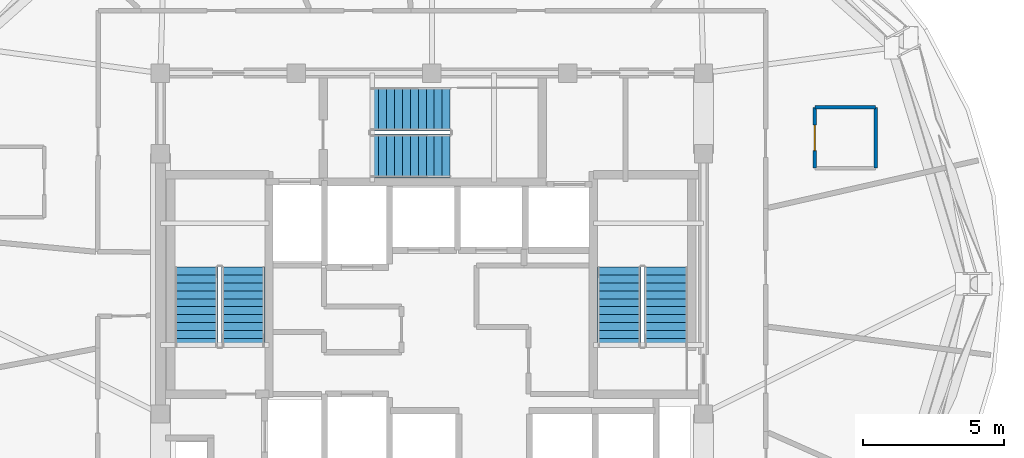
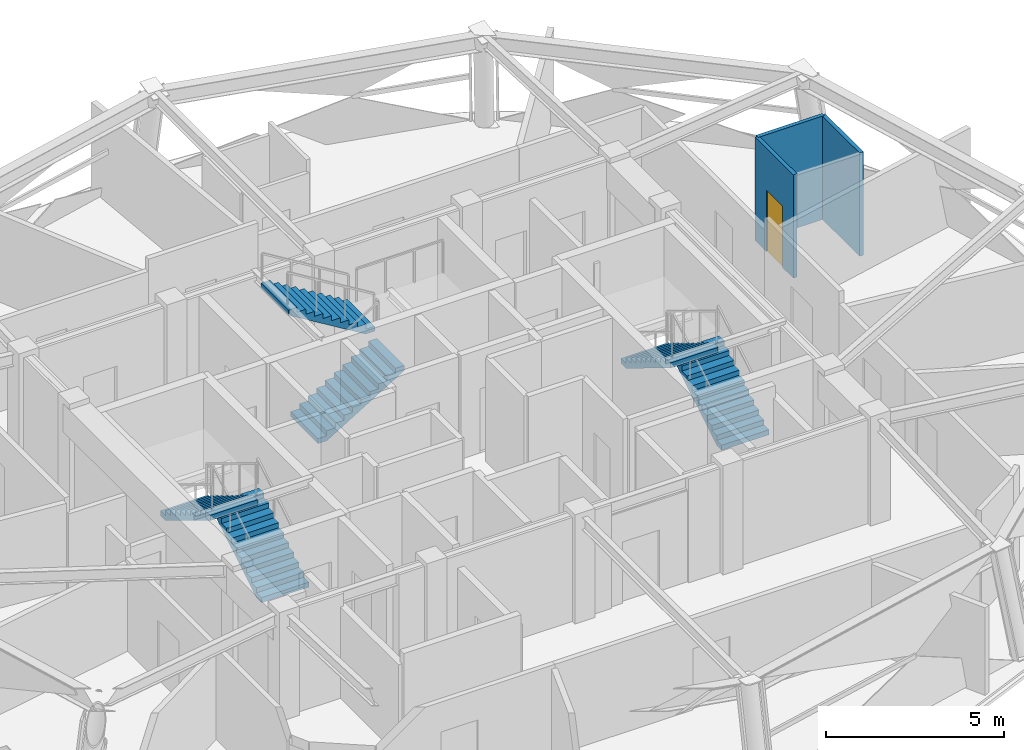
# One storey, part 7 of 11: 6 stair flights, 3 walls, 1 door, 1 opening, 3 elements without a shape of their own.
"""IFC4 building model written with IfcOpenShell, lengths in metres."""

import ifcopenshell
import ifcopenshell.guid

model = None  # the IFC model being written
_history = None  # IfcOwnerHistory: only IFC2X3 demands one
_inside = {}  # id of a spatial element -> (the spatial element, [elements in it])
_under = {}  # id of a project, library or spatial element -> (it, [spatial elements below it])
_declared = {}  # id of a project -> (the project, [libraries it declares])
_typed = {}  # id of a type object -> (the type object, [elements of that type])
_made_of = {}  # id of a material, layer set ... -> (it, [elements and type objects made of it])


def new_model(schema):
    """Start an empty IFC model of exactly this schema.

    Asked for "IFC4X3", IfcOpenShell would pick the latest addendum, in which some entities
    have other attributes; the version numbers below select the first issue.
    IFC2X3 requires an IfcOwnerHistory on every rooted entity: one is made here for all.
    """
    global model, _history
    if schema == "IFC4X3":
        model = ifcopenshell.file(schema_version=(4, 3, 0, 0))
    else:
        model = ifcopenshell.file(schema=schema)
    _inside.clear()
    _under.clear()
    _declared.clear()
    _typed.clear()
    _made_of.clear()
    _history = None
    if model.schema == "IFC2X3":
        org = make("IfcOrganization", Name="unknown")
        user = make(
            "IfcPersonAndOrganization",
            ThePerson=make("IfcPerson", FamilyName="unknown"),
            TheOrganization=org,
        )
        app = make(
            "IfcApplication",
            ApplicationDeveloper=org,
            Version="unknown",
            ApplicationFullName="unknown",
            ApplicationIdentifier="unknown",
        )
        _history = make(
            "IfcOwnerHistory",
            OwningUser=user,
            OwningApplication=app,
            ChangeAction="ADDED",
            CreationDate=0,
        )
    return model


def make(cls, **values):
    """One entity of the class cls with the attributes given. An attribute that is None is left unset."""
    return model.create_entity(
        cls, **{name: value for name, value in values.items() if value is not None}
    )


def rooted(cls, **values):
    """An entity with a GlobalId (a new one), such as an element, a storey or a relation."""
    return make(cls, GlobalId=ifcopenshell.guid.new(), OwnerHistory=_history, **values)


def si_unit(unit_type, name, prefix=None):
    """IfcSIUnit, for example si_unit("LENGTHUNIT", "METRE", prefix="MILLI")."""
    return make("IfcSIUnit", UnitType=unit_type, Prefix=prefix, Name=name)


def assignment(units):
    """IfcUnitAssignment: the units of a project."""
    return None if units is None else make("IfcUnitAssignment", Units=units)


def point(xyz):
    """IfcCartesianPoint."""
    return None if xyz is None else make("IfcCartesianPoint", Coordinates=xyz)


def direction(xyz):
    """IfcDirection."""
    return None if xyz is None else make("IfcDirection", DirectionRatios=xyz)


def frame(location, z_axis=None, x_axis=None):
    """IfcAxis2Placement3D, a coordinate frame: its origin and axes. An axis left out is left unset."""
    return make(
        "IfcAxis2Placement3D",
        Location=point(location),
        Axis=direction(z_axis),
        RefDirection=direction(x_axis),
    )


def frame_2d(location, x_axis=None):
    """IfcAxis2Placement2D, a coordinate frame in the plane: its origin and x axis."""
    return make(
        "IfcAxis2Placement2D", Location=point(location), RefDirection=direction(x_axis)
    )


def origin():
    """The frame at (0, 0, 0) with its axes left unset."""
    return frame((0.0, 0.0, 0.0))


def place(relative_to, where):
    """IfcLocalPlacement: puts the frame where relative to a parent placement (None: the world)."""
    return make(
        "IfcLocalPlacement", PlacementRelTo=relative_to, RelativePlacement=where
    )


def context(
    kind, dimensions, precision=None, world=None, true_north=None, identifier=None
):
    """IfcGeometricRepresentationContext, for example the 3D "Model" context."""
    return make(
        "IfcGeometricRepresentationContext",
        ContextIdentifier=identifier,
        ContextType=kind,
        CoordinateSpaceDimension=dimensions,
        Precision=precision,
        WorldCoordinateSystem=world,
        TrueNorth=true_north,
    )


def subcontext(parent, identifier, kind, view, scale=None):
    """IfcGeometricRepresentationSubContext, for example "Body" below "Model"."""
    return make(
        "IfcGeometricRepresentationSubContext",
        ContextIdentifier=identifier,
        ContextType=kind,
        ParentContext=parent,
        TargetScale=scale,
        TargetView=view,
    )


def project(units=None, contexts=None):
    """IfcProject with its units and contexts."""
    return rooted(
        "IfcProject",
        Name="project",
        RepresentationContexts=contexts,
        UnitsInContext=assignment(units),
    )


def spatial(cls, under=None, at=None, **own):
    """A site, building, storey or space (cls), placed at a placement, below another one or the project."""
    s = rooted(cls, ObjectPlacement=at, **own)
    if under is not None:
        _under.setdefault(under.id(), (under, []))[1].append(s)
    return s


def polyline(points):
    """IfcPolyline through the points."""
    return make("IfcPolyline", Points=[point(p) for p in points])


def profile(cls, at=None, kind="AREA", **sizes):
    """A parametric profile (cls). Its sizes go by their IFC names, for example OverallWidth=200.0."""
    return make(cls, ProfileType=kind, Position=at, **sizes)


def rectangle(**sizes):
    """IfcRectangleProfileDef."""
    return profile("IfcRectangleProfileDef", **sizes)


def outline(outer, holes=None, kind="AREA"):
    """IfcArbitraryClosedProfileDef: a profile drawn as a closed curve; with holes, ...WithVoids."""
    if holes is None:
        return make("IfcArbitraryClosedProfileDef", ProfileType=kind, OuterCurve=outer)
    return make(
        "IfcArbitraryProfileDefWithVoids",
        ProfileType=kind,
        OuterCurve=outer,
        InnerCurves=holes,
    )


def extrude(swept, where, along, depth):
    """IfcExtrudedAreaSolid: the profile swept, set in the frame where, extruded along a direction by depth."""
    return make(
        "IfcExtrudedAreaSolid",
        SweptArea=swept,
        Position=where,
        ExtrudedDirection=direction(along),
        Depth=depth,
    )


def shape(context_of_items, identifier, shape_type, items):
    """IfcShapeRepresentation: the items that make up one representation, for example the "Body"."""
    return make(
        "IfcShapeRepresentation",
        ContextOfItems=context_of_items,
        RepresentationIdentifier=identifier,
        RepresentationType=shape_type,
        Items=items,
    )


def material(Name=None, Category=None):
    """IfcMaterial."""
    return make("IfcMaterial", Name=Name, Category=Category)


def layer(
    of_material, thickness, ventilated=None, Name=None, Category=None, Priority=None
):
    """IfcMaterialLayer: one layer of a wall or slab, of a material (None: an air gap)."""
    return make(
        "IfcMaterialLayer",
        Material=of_material,
        LayerThickness=thickness,
        IsVentilated=ventilated,
        Name=Name,
        Category=Category,
        Priority=Priority,
    )


def layer_set(layers, Name=None):
    """IfcMaterialLayerSet."""
    return make("IfcMaterialLayerSet", MaterialLayers=layers, LayerSetName=Name)


def made_of(thing, what):
    """Note that an element or type object is made of a material, layer set ...; save() writes the relation."""
    if what is not None:
        _made_of.setdefault(what.id(), (what, []))[1].append(thing)
    return thing


def type_object(cls, material=None, **own):
    """A type object (cls), such as IfcWallType, which elements share."""
    return made_of(rooted(cls, **own), material)


def element(
    cls,
    number,
    at=None,
    inside=None,
    cuts=None,
    type_object=None,
    material=None,
    context=None,
    identifier="Body",
    shape_type=None,
    held_by="IfcProductDefinitionShape",
    body=None,
    shapes=None,
    **own,
):
    """One element of the class cls, such as IfcWall. Its Tag is "e" and its number.

    at: its placement. inside: the storey or other place that contains it. cuts: it is an
    opening in that element (IfcRelVoidsElement). A single representation is given by context,
    identifier, shape_type and body (its items); several are given by shapes. held_by: the class
    of the entity that holds the representations. save() writes the other relations.
    """
    e = rooted(cls, Tag="e%d" % number, ObjectPlacement=at, **own)
    if body is not None:
        shapes = [shape(context, identifier, shape_type, body)]
    if shapes is not None:
        e.Representation = make(held_by, Representations=shapes)
    if inside is not None:
        _inside.setdefault(inside.id(), (inside, []))[1].append(e)
    if cuts is not None:
        rooted(
            "IfcRelVoidsElement", RelatingBuildingElement=cuts, RelatedOpeningElement=e
        )
    if type_object is not None:
        _typed.setdefault(type_object.id(), (type_object, []))[1].append(e)
    return made_of(e, material)


def fill(opening, filler):
    """IfcRelFillsElement: the door or window that sits in an opening."""
    return rooted(
        "IfcRelFillsElement",
        RelatingOpeningElement=opening,
        RelatedBuildingElement=filler,
    )


def aggregate(whole, parts):
    """IfcRelAggregates: a whole, such as a stair, and the parts it consists of."""
    return rooted("IfcRelAggregates", RelatingObject=whole, RelatedObjects=parts)


def save(model, path):
    """Write the relations noted so far, then the file.

    IfcRelAggregates (storeys below a building ...), IfcRelContainedInSpatialStructure (elements
    in a storey), IfcRelDefinesByType, IfcRelAssociatesMaterial and IfcRelDeclares: one each for
    every whole, place, type object, material and project.
    """
    for whole, parts in _under.values():
        aggregate(whole, parts)
    for where, things in _inside.values():
        rooted(
            "IfcRelContainedInSpatialStructure",
            RelatedElements=things,
            RelatingStructure=where,
        )
    for kind, things in _typed.values():
        rooted("IfcRelDefinesByType", RelatedObjects=things, RelatingType=kind)
    for what, things in _made_of.values():
        rooted("IfcRelAssociatesMaterial", RelatedObjects=things, RelatingMaterial=what)
    for by, libraries in _declared.values():
        rooted("IfcRelDeclares", RelatingContext=by, RelatedDefinitions=libraries)
    model.write(path)


model = new_model("IFC4")

# Units and contexts
model_context = context("Model", 3, precision=1e-05, world=origin(), true_north=direction((0.0, 1.0)))
body_context = subcontext(model_context, "Body", "Model", "MODEL_VIEW")
ifc_project = project(units=[si_unit("LENGTHUNIT", "METRE"), si_unit("AREAUNIT", "SQUARE_METRE"), si_unit("VOLUMEUNIT", "CUBIC_METRE"), si_unit("PLANEANGLEUNIT", "RADIAN"), si_unit("MASSUNIT", "GRAM", prefix="KILO")], contexts=[model_context])

# Site, building, storey
site_placement = place(None, origin())
site = spatial("IfcSite", under=ifc_project, at=site_placement, CompositionType="ELEMENT")
building_placement = place(site_placement, origin())
building = spatial("IfcBuilding", under=site, at=building_placement, Name="Vantalir Tower", CompositionType="ELEMENT")
storey_placement = place(building_placement, frame((0.0, 0.0, 278.85009765625)))
storey = spatial("IfcBuildingStorey", under=building, at=storey_placement, Name="L70", CompositionType="ELEMENT", Elevation=278.85009765625)

# Wall
ifc_material_1 = material(Name="Moisture-resistant en-suite partition", Category="gypsum")
ifc_layer = layer(ifc_material_1, 0.125)
ifc_layer_set = layer_set([ifc_layer], Name="Moisture-resistant en-suite partition")
wall_type = type_object("IfcWallType", Name="WL-BATH-125", PredefinedType="PARTITIONING", material=ifc_layer_set)
wall_1_placement = place(storey_placement, frame((45.035888671875, 31.238037109375, 0.0), z_axis=(0.0, 0.0, 1.0), x_axis=(1.0, 0.0, 0.0)))
element("IfcWall", 1, at=wall_1_placement, inside=storey, type_object=wall_type, Name="L70 En-suite 01 North Wall", PredefinedType="PARTITIONING", context=body_context, shape_type="SweptSolid", body=[
    extrude(rectangle(XDim=2.150146484375, YDim=0.125, at=frame_2d((1.0751953125, 0.0))), origin(), (0.0, 0.0, 1.0), 3.5498046875),
])

# Wall, opening, door
wall_2_placement = place(storey_placement, frame((45.035888671875, 29.087890625, 0.0), z_axis=(0.0, 0.0, 1.0), x_axis=(0.0, 1.0, 0.0)))
wall_2 = element("IfcWall", 2, at=wall_2_placement, inside=storey, type_object=wall_type, Name="L70 En-suite 01 West Wall", PredefinedType="PARTITIONING", context=body_context, shape_type="SweptSolid", body=[
    extrude(rectangle(XDim=2.150146484375, YDim=0.125, at=frame_2d((1.0751953125, 0.0))), origin(), (0.0, 0.0, 1.0), 3.5498046875),
])
opening_placement = place(wall_2_placement, frame((0.625, 0.0, 0.0)))
opening = element("IfcOpeningElement", 3, at=opening_placement, cuts=wall_2, Name="Opening D-WC", PredefinedType="OPENING", context=body_context, shape_type="SweptSolid", body=[
    extrude(rectangle(XDim=0.89990234375, YDim=2.10009765625, at=frame_2d((0.449951171875, 1.050048828125))), frame((0.0, 0.072509765625, 0.0), z_axis=(0.0, -1.0, 0.0), x_axis=(1.0, 0.0, 0.0)), (0.0, 0.0, 1.0), 0.14501953125),
])
ifc_material_2 = material(Name="Moisture-resistant hardwood door", Category="wood")
door_type = type_object("IfcDoorType", Name="DR-ENSUITE-900", OperationType="NOTDEFINED", PredefinedType="DOOR", material=ifc_material_2)
door_placement = place(opening_placement, frame((0.89990234375, 0.0, 0.0), z_axis=(0.0, 0.0, 1.0), x_axis=(-1.0, 0.0, 0.0)))
door = element("IfcDoor", 4, at=door_placement, inside=storey, type_object=door_type, Name="L70 En-suite 01 Door", OperationType="SINGLE_SWING_RIGHT", OverallHeight=2.10009765625, OverallWidth=0.89990234375, PredefinedType="DOOR", context=body_context, shape_type="SweptSolid", body=[
    extrude(rectangle(XDim=0.89990234375, YDim=2.10009765625, at=frame_2d((0.449951171875, 1.050048828125))), frame((0.0, 0.02490234375, 0.0), z_axis=(0.0, -1.0, 0.0), x_axis=(1.0, 0.0, 0.0)), (0.0, 0.0, 1.0), 0.050048828125),
])
fill(opening, door)

# Wall
wall_3_placement = place(storey_placement, frame((47.18603515625, 29.087890625, 0.0), z_axis=(0.0, 0.0, 1.0), x_axis=(0.0, 1.0, 0.0)))
element("IfcWall", 5, at=wall_3_placement, inside=storey, type_object=wall_type, Name="L70 En-suite 01 East Wall", PredefinedType="PARTITIONING", context=body_context, shape_type="SweptSolid", body=[
    extrude(rectangle(XDim=2.150146484375, YDim=0.125, at=frame_2d((1.0751953125, 0.0))), origin(), (0.0, 0.0, 1.0), 3.5498046875),
])

# Stair, stair flights
ifc_material_3 = material(Name="Concrete C40/50", Category="concrete")
stair_type = type_object("IfcStairType", Name="STR-CORE-1450", PredefinedType="HALF_TURN_STAIR", material=ifc_material_3)
stair_1_placement = place(storey_placement, origin())
stair_1 = element("IfcStair", 6, at=stair_1_placement, inside=storey, type_object=stair_type, Name="L70 Core Exit Stair 1", PredefinedType="HALF_TURN_STAIR")
stair_flight_type = type_object("IfcStairFlightType", Name="FLT-CORE-1450", PredefinedType="STRAIGHT", material=ifc_material_3)
stair_flight_1_placement = place(storey_placement, frame((24.830078125, 22.7900390625, 0.0), z_axis=(0.0, 0.0, 1.0), x_axis=(0.0, 1.0, 0.0)))
stair_flight_1 = element("IfcStairFlight", 7, at=stair_flight_1_placement, type_object=stair_flight_type, Name="ST1 flight 1", NumberOfRisers=11, NumberOfTreads=10, PredefinedType="STRAIGHT", RiserHeight=0.170454545, TreadLength=0.28, context=body_context, shape_type="SweptSolid", body=[
    extrude(outline(polyline([(0.0, 0.0), (0.0, 0.17041015625), (0.280029296875, 0.17041015625), (0.280029296875, 0.3408203125), (0.56005859375, 0.3408203125), (0.56005859375, 0.511474609375), (0.840087890625, 0.511474609375), (0.840087890625, 0.681884765625), (1.1201171875, 0.681884765625), (1.1201171875, 0.852294921875), (1.39990234375, 0.852294921875), (1.39990234375, 1.022705078125), (1.679931640625, 1.022705078125), (1.679931640625, 1.193115234375), (1.9599609375, 1.193115234375), (1.9599609375, 1.363525390625), (2.239990234375, 1.363525390625), (2.239990234375, 1.5341796875), (2.52001953125, 1.5341796875), (2.52001953125, 1.70458984375), (2.800048828125, 1.70458984375), (2.800048828125, 1.875), (2.800048828125, 1.529052734375), (0.288330078125, 0.0), (0.0, 0.0)])), frame((0.0, 0.77001953125, 0.0), z_axis=(0.0, -1.0, 0.0), x_axis=(1.0, 0.0, 0.0)), (0.0, 0.0, 1.0), 1.5400390625),
])
stair_flight_2_placement = place(storey_placement, frame((23.169921875, 25.590087890625, 1.875), z_axis=(0.0, 0.0, 1.0), x_axis=(0.0, -1.0, 0.0)))
stair_flight_2 = element("IfcStairFlight", 8, at=stair_flight_2_placement, type_object=stair_flight_type, Name="ST1 flight 2", NumberOfRisers=11, NumberOfTreads=10, PredefinedType="STRAIGHT", RiserHeight=0.170454545, TreadLength=0.28, context=body_context, shape_type="SweptSolid", body=[
    extrude(outline(polyline([(0.0, 0.0), (0.0, 0.17041015625), (0.280029296875, 0.17041015625), (0.280029296875, 0.3408203125), (0.56005859375, 0.3408203125), (0.56005859375, 0.511474609375), (0.840087890625, 0.511474609375), (0.840087890625, 0.681884765625), (1.1201171875, 0.681884765625), (1.1201171875, 0.852294921875), (1.39990234375, 0.852294921875), (1.39990234375, 1.022705078125), (1.679931640625, 1.022705078125), (1.679931640625, 1.193115234375), (1.9599609375, 1.193115234375), (1.9599609375, 1.363525390625), (2.239990234375, 1.363525390625), (2.239990234375, 1.5341796875), (2.52001953125, 1.5341796875), (2.52001953125, 1.70458984375), (2.800048828125, 1.70458984375), (2.800048828125, 1.875), (2.800048828125, 1.529052734375), (0.288330078125, 0.0), (0.0, 0.0)])), frame((0.0, 0.77001953125, 0.0), z_axis=(0.0, -1.0, 0.0), x_axis=(1.0, 0.0, 0.0)), (0.0, 0.0, 1.0), 1.5400390625),
])
aggregate(stair_1, [stair_flight_1, stair_flight_2])

stair_2_placement = place(storey_placement, origin())
stair_2 = element("IfcStair", 9, at=stair_2_placement, inside=storey, type_object=stair_type, Name="L70 Core Exit Stair 2", PredefinedType="HALF_TURN_STAIR")
stair_flight_3_placement = place(storey_placement, frame((39.780029296875, 22.7900390625, 0.0), z_axis=(0.0, 0.0, 1.0), x_axis=(0.0, 1.0, 0.0)))
stair_flight_3 = element("IfcStairFlight", 10, at=stair_flight_3_placement, type_object=stair_flight_type, Name="ST2 flight 1", NumberOfRisers=11, NumberOfTreads=10, PredefinedType="STRAIGHT", RiserHeight=0.170454545, TreadLength=0.28, context=body_context, shape_type="SweptSolid", body=[
    extrude(outline(polyline([(0.0, 0.0), (0.0, 0.17041015625), (0.280029296875, 0.17041015625), (0.280029296875, 0.3408203125), (0.56005859375, 0.3408203125), (0.56005859375, 0.511474609375), (0.840087890625, 0.511474609375), (0.840087890625, 0.681884765625), (1.1201171875, 0.681884765625), (1.1201171875, 0.852294921875), (1.39990234375, 0.852294921875), (1.39990234375, 1.022705078125), (1.679931640625, 1.022705078125), (1.679931640625, 1.193115234375), (1.9599609375, 1.193115234375), (1.9599609375, 1.363525390625), (2.239990234375, 1.363525390625), (2.239990234375, 1.5341796875), (2.52001953125, 1.5341796875), (2.52001953125, 1.70458984375), (2.800048828125, 1.70458984375), (2.800048828125, 1.875), (2.800048828125, 1.529052734375), (0.288330078125, 0.0), (0.0, 0.0)])), frame((0.0, 0.77001953125, 0.0), z_axis=(0.0, -1.0, 0.0), x_axis=(1.0, 0.0, 0.0)), (0.0, 0.0, 1.0), 1.5400390625),
])
stair_flight_4_placement = place(storey_placement, frame((38.1201171875, 25.590087890625, 1.875), z_axis=(0.0, 0.0, 1.0), x_axis=(0.0, -1.0, 0.0)))
stair_flight_4 = element("IfcStairFlight", 11, at=stair_flight_4_placement, type_object=stair_flight_type, Name="ST2 flight 2", NumberOfRisers=11, NumberOfTreads=10, PredefinedType="STRAIGHT", RiserHeight=0.170454545, TreadLength=0.28, context=body_context, shape_type="SweptSolid", body=[
    extrude(outline(polyline([(0.0, 0.0), (0.0, 0.17041015625), (0.280029296875, 0.17041015625), (0.280029296875, 0.3408203125), (0.56005859375, 0.3408203125), (0.56005859375, 0.511474609375), (0.840087890625, 0.511474609375), (0.840087890625, 0.681884765625), (1.1201171875, 0.681884765625), (1.1201171875, 0.852294921875), (1.39990234375, 0.852294921875), (1.39990234375, 1.022705078125), (1.679931640625, 1.022705078125), (1.679931640625, 1.193115234375), (1.9599609375, 1.193115234375), (1.9599609375, 1.363525390625), (2.239990234375, 1.363525390625), (2.239990234375, 1.5341796875), (2.52001953125, 1.5341796875), (2.52001953125, 1.70458984375), (2.800048828125, 1.70458984375), (2.800048828125, 1.875), (2.800048828125, 1.529052734375), (0.288330078125, 0.0), (0.0, 0.0)])), frame((0.0, 0.77001953125, 0.0), z_axis=(0.0, -1.0, 0.0), x_axis=(1.0, 0.0, 0.0)), (0.0, 0.0, 1.0), 1.5400390625),
])
aggregate(stair_2, [stair_flight_3, stair_flight_4])

stair_3_placement = place(storey_placement, origin())
stair_3 = element("IfcStair", 12, at=stair_3_placement, inside=storey, type_object=stair_type, Name="L70 Core Exit Stair 3", PredefinedType="HALF_TURN_STAIR")
stair_flight_5_placement = place(storey_placement, frame((29.340087890625, 29.52001953125, 0.0), z_axis=(0.0, 0.0, 1.0), x_axis=(1.0, 0.0, 0.0)))
stair_flight_5 = element("IfcStairFlight", 13, at=stair_flight_5_placement, type_object=stair_flight_type, Name="ST3 flight 1", NumberOfRisers=11, NumberOfTreads=10, PredefinedType="STRAIGHT", RiserHeight=0.170454545, TreadLength=0.28, context=body_context, shape_type="SweptSolid", body=[
    extrude(outline(polyline([(0.0, 0.0), (0.0, 0.17041015625), (0.280029296875, 0.17041015625), (0.280029296875, 0.3408203125), (0.56005859375, 0.3408203125), (0.56005859375, 0.511474609375), (0.840087890625, 0.511474609375), (0.840087890625, 0.681884765625), (1.1201171875, 0.681884765625), (1.1201171875, 0.852294921875), (1.39990234375, 0.852294921875), (1.39990234375, 1.022705078125), (1.679931640625, 1.022705078125), (1.679931640625, 1.193115234375), (1.9599609375, 1.193115234375), (1.9599609375, 1.363525390625), (2.239990234375, 1.363525390625), (2.239990234375, 1.5341796875), (2.52001953125, 1.5341796875), (2.52001953125, 1.70458984375), (2.800048828125, 1.70458984375), (2.800048828125, 1.875), (2.800048828125, 1.529052734375), (0.288330078125, 0.0), (0.0, 0.0)])), frame((0.0, 0.77001953125, 0.0), z_axis=(0.0, -1.0, 0.0), x_axis=(1.0, 0.0, 0.0)), (0.0, 0.0, 1.0), 1.5400390625),
])
stair_flight_6_placement = place(storey_placement, frame((32.139892578125, 31.179931640625, 1.875), z_axis=(0.0, 0.0, 1.0), x_axis=(-1.0, 0.0, 0.0)))
stair_flight_6 = element("IfcStairFlight", 14, at=stair_flight_6_placement, type_object=stair_flight_type, Name="ST3 flight 2", NumberOfRisers=11, NumberOfTreads=10, PredefinedType="STRAIGHT", RiserHeight=0.170454545, TreadLength=0.28, context=body_context, shape_type="SweptSolid", body=[
    extrude(outline(polyline([(0.0, 0.0), (0.0, 0.17041015625), (0.280029296875, 0.17041015625), (0.280029296875, 0.3408203125), (0.56005859375, 0.3408203125), (0.56005859375, 0.511474609375), (0.840087890625, 0.511474609375), (0.840087890625, 0.681884765625), (1.1201171875, 0.681884765625), (1.1201171875, 0.852294921875), (1.39990234375, 0.852294921875), (1.39990234375, 1.022705078125), (1.679931640625, 1.022705078125), (1.679931640625, 1.193115234375), (1.9599609375, 1.193115234375), (1.9599609375, 1.363525390625), (2.239990234375, 1.363525390625), (2.239990234375, 1.5341796875), (2.52001953125, 1.5341796875), (2.52001953125, 1.70458984375), (2.800048828125, 1.70458984375), (2.800048828125, 1.875), (2.800048828125, 1.529052734375), (0.288330078125, 0.0), (0.0, 0.0)])), frame((0.0, 0.77001953125, 0.0), z_axis=(0.0, -1.0, 0.0), x_axis=(1.0, 0.0, 0.0)), (0.0, 0.0, 1.0), 1.5400390625),
])
aggregate(stair_3, [stair_flight_5, stair_flight_6])

save(model, "model.ifc")
